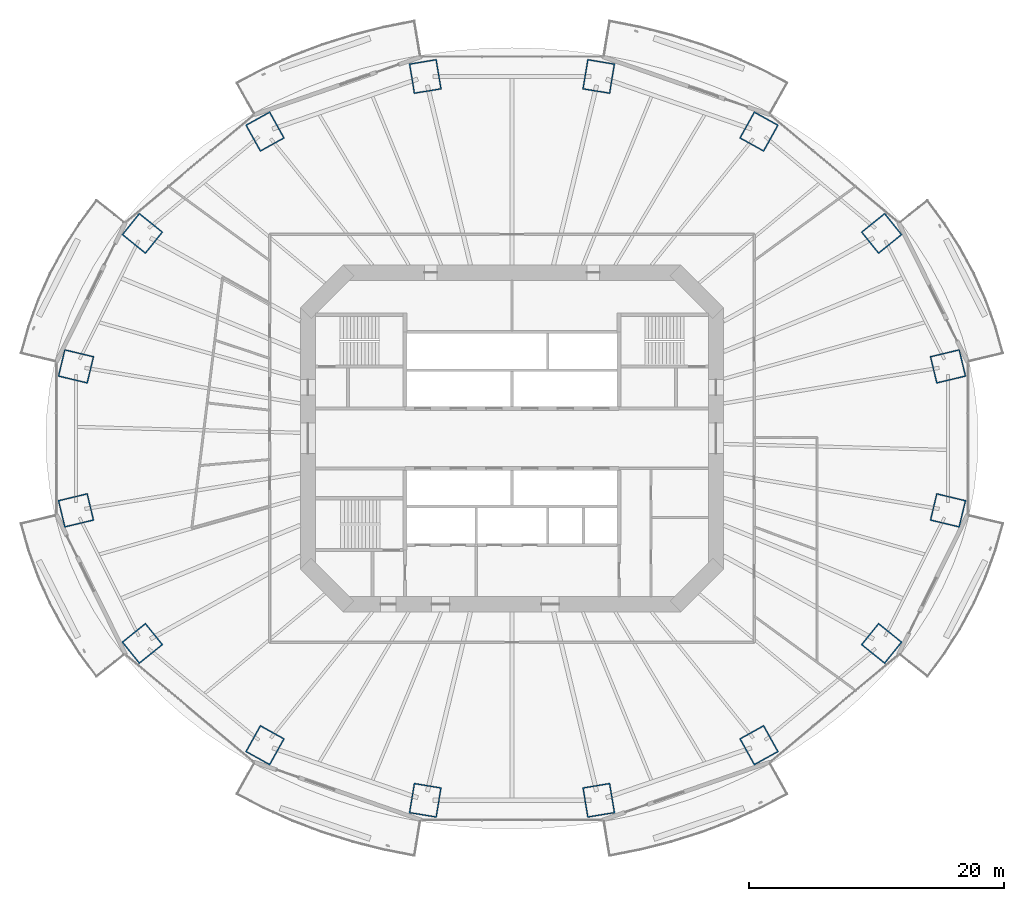
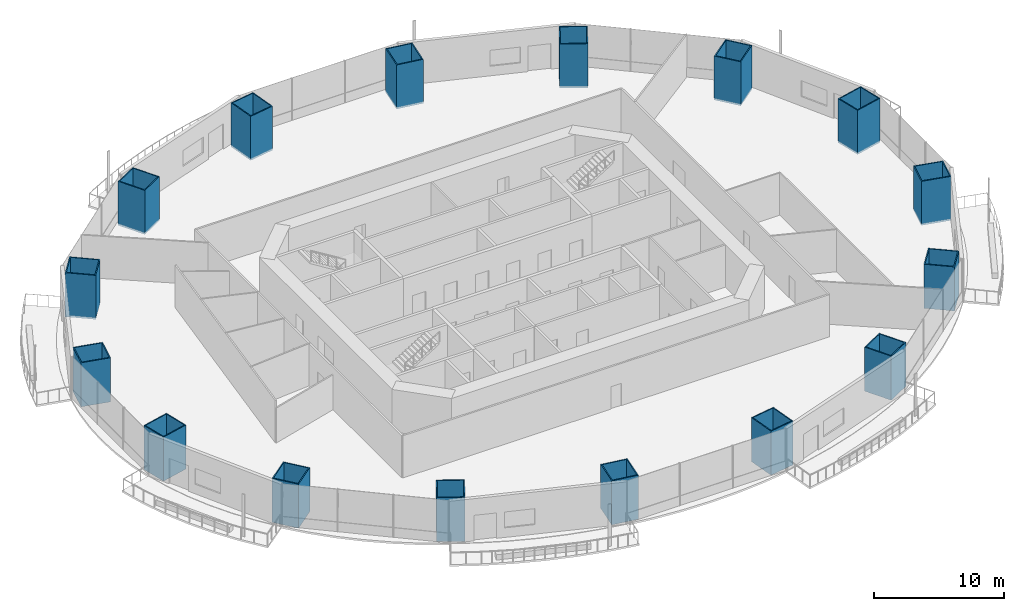
# One storey, part 1 of 23: 16 columns.
"""IFC4 building model written with IfcOpenShell, lengths in metres."""

from ifc_helpers import new_model, si_unit, direction, frame, origin, origin_2d, place, context, subcontext, project, spatial, rectangle, hollow_rectangle, extrude, material, material_profile, profile_set, type_object, element, save


model = new_model("IFC4")

# Units and contexts
model_context = context("Model", 3, precision=1e-05, world=origin(), true_north=direction((0.0, 1.0)))
body_context = subcontext(model_context, "Body", "Model", "MODEL_VIEW")
ifc_project = project(units=[si_unit("LENGTHUNIT", "METRE"), si_unit("AREAUNIT", "SQUARE_METRE"), si_unit("VOLUMEUNIT", "CUBIC_METRE"), si_unit("PLANEANGLEUNIT", "RADIAN"), si_unit("MASSUNIT", "GRAM", prefix="KILO")], contexts=[model_context])

# Site, building, storey
site_placement = place(None, origin())
site = spatial("IfcSite", under=ifc_project, at=site_placement, CompositionType="ELEMENT")
building_placement = place(site_placement, origin())
building = spatial("IfcBuilding", under=site, at=building_placement, Name="Marenthal Gate Tower", CompositionType="ELEMENT")
storey_placement = place(building_placement, frame((0.0, 0.0, 45.449951171875)))
storey = spatial("IfcBuildingStorey", under=building, at=storey_placement, Name="L07", CompositionType="ELEMENT", Elevation=45.449951171875)

# Columns
ifc_material_1 = material(Name="Steel S460", Category="steel")
ifc_material_profile_1 = material_profile(ifc_material_1, hollow_rectangle(XDim=2.199951171875, YDim=2.39990234375, WallThickness=0.090087890625, at=origin_2d()), Name="CFT BOX 2400X2200X90")
ifc_material_2 = material(Name="Concrete 70 MPa", Category="concrete")
ifc_material_profile_2 = material_profile(ifc_material_2, rectangle(XDim=2.02001953125, YDim=2.219970703125, at=origin_2d()), Name="CFT BOX 2400X2200X90 INFILL")
ifc_profile_set = profile_set([ifc_material_profile_1, ifc_material_profile_2], Name="Steel S460 shell, Concrete 70 MPa infill")
column_type = type_object("IfcColumnType", Name="CFT BOX 2400X2200X90", PredefinedType="COLUMN", material=ifc_profile_set)
for number, where, z_axis, x_axis, name in (
    (1, (34.188232421875, 5.64501953125, -0.179931640625), (0.0, 0.0, 1.0), (0.233032946196, -0.972468840625, 0.0), "COL-L07-01"),
    (2, (28.9833984375, 16.075439453125, -0.179931640625), (0.0, 0.0, 1.0), (0.627045775973, -0.778982409836, 0.0), "COL-L07-02"),
    (3, (19.3662109375, 24.05859375, -0.179931640625), (0.0, 0.0, 1.0), (0.874496140493, -0.48503247341, 0.0), "COL-L07-03"),
    (4, (6.800537109375, 28.37890625, -0.179931640625), (0.0, 0.0, 1.0), (0.986641341868, -0.162907527505, 0.0), "COL-L07-04"),
    (5, (-6.800537109375, 28.37890625, -0.179931640625), (0.0, 0.0, 1.0), (0.986641341868, 0.162907527505, 0.0), "COL-L07-05"),
    (6, (-19.3662109375, 24.05859375, -0.179931640625), (0.0, 0.0, 1.0), (0.874496140493, 0.48503247341, 0.0), "COL-L07-06"),
    (7, (-28.9833984375, 16.075439453125, -0.179931640625), (0.0, 0.0, 1.0), (0.627045775973, 0.778982409836, 0.0), "COL-L07-07"),
    (8, (-34.188232421875, 5.64501953125, -0.179931640625), (0.0, 0.0, 1.0), (0.233032946196, 0.972468840625, 0.0), "COL-L07-08"),
    (9, (-34.188232421875, -5.64501953125, -0.179931640625), (0.0, 0.0, 1.0), (-0.233032946196, 0.972468840625, 0.0), "COL-L07-09"),
    (10, (-28.9833984375, -16.075439453125, -0.179931640625), (0.0, 0.0, 1.0), (-0.627045775973, 0.778982409836, 0.0), "COL-L07-10"),
    (11, (-19.3662109375, -24.05859375, -0.179931640625), (0.0, 0.0, 1.0), (-0.874496140493, 0.48503247341, 0.0), "COL-L07-11"),
    (12, (-6.800537109375, -28.37890625, -0.179931640625), (0.0, 0.0, 1.0), (-0.986641341868, 0.162907527505, 0.0), "COL-L07-12"),
    (13, (6.800537109375, -28.37890625, -0.179931640625), (0.0, 0.0, 1.0), (-0.986641341868, -0.162907527505, 0.0), "COL-L07-13"),
    (14, (19.3662109375, -24.05859375, -0.179931640625), (0.0, 0.0, 1.0), (-0.874496140493, -0.48503247341, 0.0), "COL-L07-14"),
    (15, (28.9833984375, -16.075439453125, -0.179931640625), (0.0, 0.0, 1.0), (-0.627045775973, -0.778982409836, 0.0), "COL-L07-15"),
    (16, (34.188232421875, -5.64501953125, -0.179931640625), (0.0, 0.0, 1.0), (-0.233032946196, -0.972468840625, 0.0), "COL-L07-16"),
):
    element("IfcColumn", number, at=place(storey_placement, frame(where, z_axis=z_axis, x_axis=x_axis)), inside=storey, type_object=column_type, Name=name, PredefinedType="COLUMN", context=body_context, shape_type="SweptSolid", body=[
        extrude(hollow_rectangle(XDim=2.199951171875, YDim=2.39990234375, WallThickness=0.090087890625, at=origin_2d()), origin(), (0.0, 0.0, 1.0), 4.14990234375),
    ])

save(model, "model.ifc")
